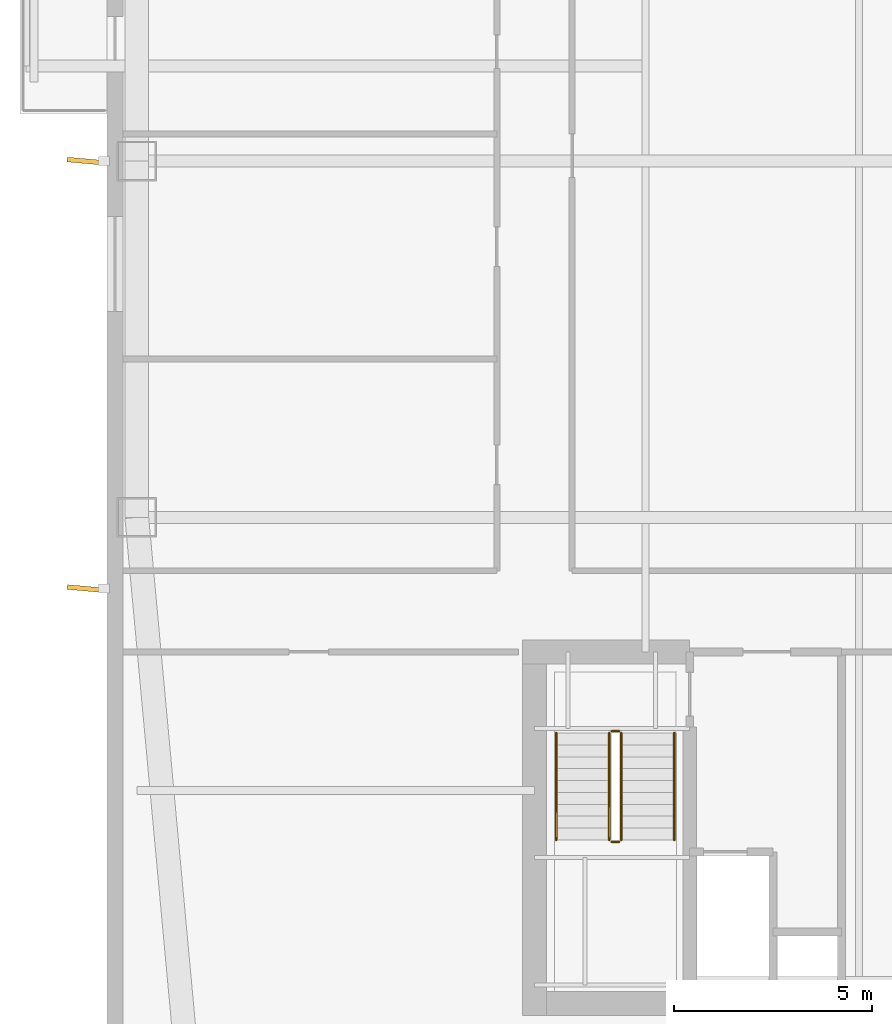
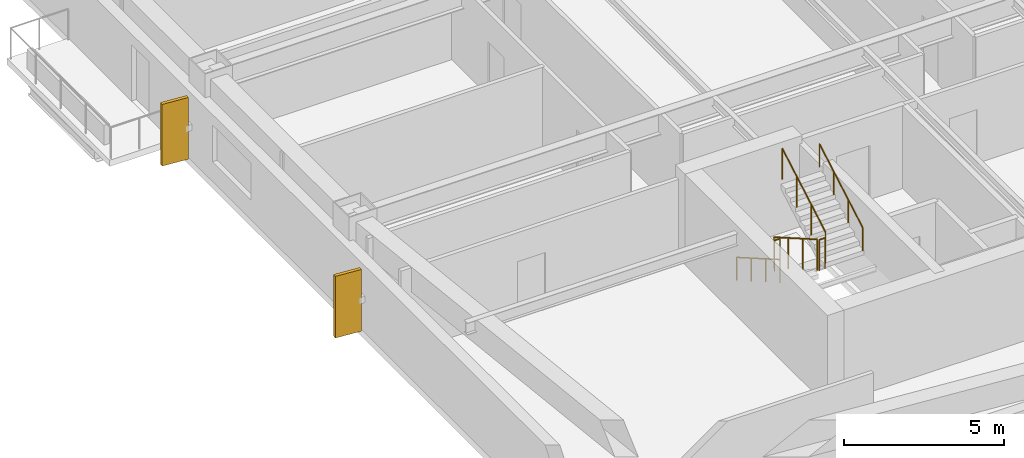
# One storey, part 19 of 23: 6 railings, 2 shading devices.
"""IFC4 building model written with IfcOpenShell, lengths in metres."""

from ifc_helpers import new_model, si_unit, direction, frame, origin, origin_2d, place, context, subcontext, project, spatial, rectangle, circle, extrude, material, layer, layer_set, type_object, element, save


model = new_model("IFC4")

# Units and contexts
model_context = context("Model", 3, precision=1e-05, world=origin(), true_north=direction((0.0, 1.0)))
body_context = subcontext(model_context, "Body", "Model", "MODEL_VIEW")
ifc_project = project(units=[si_unit("LENGTHUNIT", "METRE"), si_unit("AREAUNIT", "SQUARE_METRE"), si_unit("VOLUMEUNIT", "CUBIC_METRE"), si_unit("PLANEANGLEUNIT", "RADIAN"), si_unit("MASSUNIT", "GRAM", prefix="KILO")], contexts=[model_context])

# Site, building, storey
site_placement = place(None, origin())
site = spatial("IfcSite", under=ifc_project, at=site_placement, CompositionType="ELEMENT")
building_placement = place(site_placement, origin())
building = spatial("IfcBuilding", under=site, at=building_placement, Name="Qiaolan Cultural Towers", CompositionType="ELEMENT")
storey_placement = place(building_placement, frame((0.0, 0.0, 100.050048828125)))
storey = spatial("IfcBuildingStorey", under=building, at=storey_placement, Name="L25", CompositionType="ELEMENT", Elevation=100.050048828125)

# Railings
ifc_material_1 = material(Name="Galvanized Painted Steel Stair Guardrail", Category="steel")
railing_type_1 = type_object("IfcRailingType", Name="RL-STAIR-GRD", PredefinedType="GUARDRAIL", material=ifc_material_1)
railing_1_placement = place(storey_placement, frame((23.68994140625, 19.550048828125, 0.17236328125)))
element("IfcRailing", 1, at=railing_1_placement, inside=storey, type_object=railing_type_1, Name="L25 ST-W1 stair guard 1", PredefinedType="GUARDRAIL", context=body_context, shape_type="SweptSolid", body=[
    extrude(circle(Radius=0.02392578125, at=origin_2d()), frame((0.0, 0.0, 1.17578125), z_axis=(0.0, -0.866903762492, 0.498475542607), x_axis=(1.0, 0.0, 0.0)), (0.0, 0.0, 1.0), 3.114501953125),
    extrude(circle(Radius=0.02099609375, at=origin_2d()), origin(), (0.0, 0.0, 1.0), 1.15185546875),
    extrude(circle(Radius=0.02099609375, at=origin_2d()), frame((0.0, -0.89990234375, 0.517578125)), (0.0, 0.0, 1.0), 1.15185546875),
    extrude(circle(Radius=0.02099609375, at=origin_2d()), frame((0.0, -1.800048828125, 1.034912109375)), (0.0, 0.0, 1.0), 1.15185546875),
    extrude(circle(Radius=0.02099609375, at=origin_2d()), frame((0.0, -2.699951171875, 1.552490234375)), (0.0, 0.0, 1.0), 1.15185546875),
])
railing_2_placement = place(storey_placement, frame((23.739990234375, 16.800048828125, 1.724853515625)))
element("IfcRailing", 2, at=railing_2_placement, inside=storey, type_object=railing_type_1, Name="L25 ST-W1 stair guard 2", PredefinedType="GUARDRAIL", context=body_context, shape_type="SweptSolid", body=[
    extrude(circle(Radius=0.02392578125, at=origin_2d()), frame((0.0, 0.0, 1.17578125), z_axis=(1.0, 0.0, 0.0), x_axis=(0.0, 1.0, 0.0)), (0.0, 0.0, 1.0), 0.199951171875),
    extrude(circle(Radius=0.02099609375, at=origin_2d()), origin(), (0.0, 0.0, 1.0), 1.15185546875),
    extrude(circle(Radius=0.02099609375, at=origin_2d()), frame((0.199951171875, 0.0, 0.0)), (0.0, 0.0, 1.0), 1.15185546875),
])
railing_3_placement = place(storey_placement, frame((23.989990234375, 16.85009765625, 1.8974609375)))
element("IfcRailing", 3, at=railing_3_placement, inside=storey, type_object=railing_type_1, Name="L25 ST-W1 stair guard 3", PredefinedType="GUARDRAIL", context=body_context, shape_type="SweptSolid", body=[
    extrude(circle(Radius=0.02392578125, at=origin_2d()), frame((0.0, 0.0, 1.17578125), z_axis=(0.0, 0.866903762492, 0.498475542607), x_axis=(-1.0, 0.0, 0.0)), (0.0, 0.0, 1.0), 3.114501953125),
    extrude(circle(Radius=0.02099609375, at=origin_2d()), origin(), (0.0, 0.0, 1.0), 1.15185546875),
    extrude(circle(Radius=0.02099609375, at=origin_2d()), frame((0.0, 0.89990234375, 0.517578125)), (0.0, 0.0, 1.0), 1.15185546875),
    extrude(circle(Radius=0.02099609375, at=origin_2d()), frame((0.0, 1.800048828125, 1.034912109375)), (0.0, 0.0, 1.0), 1.15185546875),
    extrude(circle(Radius=0.02099609375, at=origin_2d()), frame((0.0, 2.699951171875, 1.552490234375)), (0.0, 0.0, 1.0), 1.15185546875),
])
railing_4_placement = place(storey_placement, frame((23.739990234375, 19.60009765625, 0.0)))
element("IfcRailing", 4, at=railing_4_placement, inside=storey, type_object=railing_type_1, Name="L25 ST-W1 stair guard 4", PredefinedType="GUARDRAIL", context=body_context, shape_type="SweptSolid", body=[
    extrude(circle(Radius=0.02392578125, at=origin_2d()), frame((0.0, 0.0, 1.17578125), z_axis=(1.0, 0.0, 0.0), x_axis=(0.0, 1.0, 0.0)), (0.0, 0.0, 1.0), 0.199951171875),
    extrude(circle(Radius=0.02099609375, at=origin_2d()), origin(), (0.0, 0.0, 1.0), 1.15185546875),
    extrude(circle(Radius=0.02099609375, at=origin_2d()), frame((0.199951171875, 0.0, 0.0)), (0.0, 0.0, 1.0), 1.15185546875),
])
ifc_material_2 = material(Name="Stainless Steel S30408 Tubular Handrail", Category="steel")
railing_type_2 = type_object("IfcRailingType", Name="RL-STAIR-HR", PredefinedType="HANDRAIL", material=ifc_material_2)
railing_5_placement = place(storey_placement, frame((22.35009765625, 19.550048828125, 0.17236328125)))
element("IfcRailing", 5, at=railing_5_placement, inside=storey, type_object=railing_type_2, Name="L25 ST-W1 stair handrail 1", PredefinedType="HANDRAIL", context=body_context, shape_type="SweptSolid", body=[
    extrude(circle(Radius=0.02392578125, at=origin_2d()), frame((0.0, 0.0, 0.8759765625), z_axis=(0.0, -0.866903762492, 0.498475542607), x_axis=(1.0, 0.0, 0.0)), (0.0, 0.0, 1.0), 3.114501953125),
    extrude(circle(Radius=0.02099609375, at=origin_2d()), origin(), (0.0, 0.0, 1.0), 0.851806640625),
    extrude(circle(Radius=0.02099609375, at=origin_2d()), frame((0.0, -0.89990234375, 0.517578125)), (0.0, 0.0, 1.0), 0.851806640625),
    extrude(circle(Radius=0.02099609375, at=origin_2d()), frame((0.0, -1.800048828125, 1.034912109375)), (0.0, 0.0, 1.0), 0.851806640625),
    extrude(circle(Radius=0.02099609375, at=origin_2d()), frame((0.0, -2.699951171875, 1.552490234375)), (0.0, 0.0, 1.0), 0.851806640625),
])
railing_6_placement = place(storey_placement, frame((25.330078125, 16.85009765625, 1.8974609375)))
element("IfcRailing", 6, at=railing_6_placement, inside=storey, type_object=railing_type_2, Name="L25 ST-W1 stair handrail 2", PredefinedType="HANDRAIL", context=body_context, shape_type="SweptSolid", body=[
    extrude(circle(Radius=0.02392578125, at=origin_2d()), frame((0.0, 0.0, 0.8759765625), z_axis=(0.0, 0.866903762492, 0.498475542607), x_axis=(-1.0, 0.0, 0.0)), (0.0, 0.0, 1.0), 3.114501953125),
    extrude(circle(Radius=0.02099609375, at=origin_2d()), origin(), (0.0, 0.0, 1.0), 0.851806640625),
    extrude(circle(Radius=0.02099609375, at=origin_2d()), frame((0.0, 0.89990234375, 0.517578125)), (0.0, 0.0, 1.0), 0.851806640625),
    extrude(circle(Radius=0.02099609375, at=origin_2d()), frame((0.0, 1.800048828125, 1.034912109375)), (0.0, 0.0, 1.0), 0.851806640625),
    extrude(circle(Radius=0.02099609375, at=origin_2d()), frame((0.0, 2.699951171875, 1.552490234375)), (0.0, 0.0, 1.0), 0.851806640625),
])

# Shading devices
ifc_material_3 = material(Name="Dark Basalt Honed Precast Terracotta Fin", Category="masonry")
ifc_layer = layer(ifc_material_3, 0.1201171875)
ifc_layer_set = layer_set([ifc_layer], Name="Dark Basalt Honed Precast Terracotta Fin")
shading_device_type = type_object("IfcShadingDeviceType", Name="SHD-FIN-DARK", PredefinedType="USERDEFINED", material=ifc_layer_set)
for number, where, z_axis, x_axis, name in (
    (7, (10.43994140625, 23.199951171875, 0.099853515625), (0.0, 0.0, 1.0), (0.995993912618, -0.089421060319, 0.0), "L25 T1 Expressive Precast Vertical Fin W1"),
    (8, (10.43994140625, 34.0, 0.099853515625), (0.0, 0.0, 1.0), (0.995993912618, -0.089421060319, 0.0), "L25 T1 Expressive Precast Vertical Fin W2"),
):
    element("IfcShadingDevice", number, at=place(storey_placement, frame(where, z_axis=z_axis, x_axis=x_axis)), inside=storey, type_object=shading_device_type, Name=name, ObjectType="FIN", PredefinedType="USERDEFINED", context=body_context, shape_type="SweptSolid", body=[
        extrude(rectangle(XDim=0.89990234375, YDim=0.1201171875, at=origin_2d()), origin(), (0.0, 0.0, 1.0), 2.35009765625),
    ])

save(model, "model.ifc")
